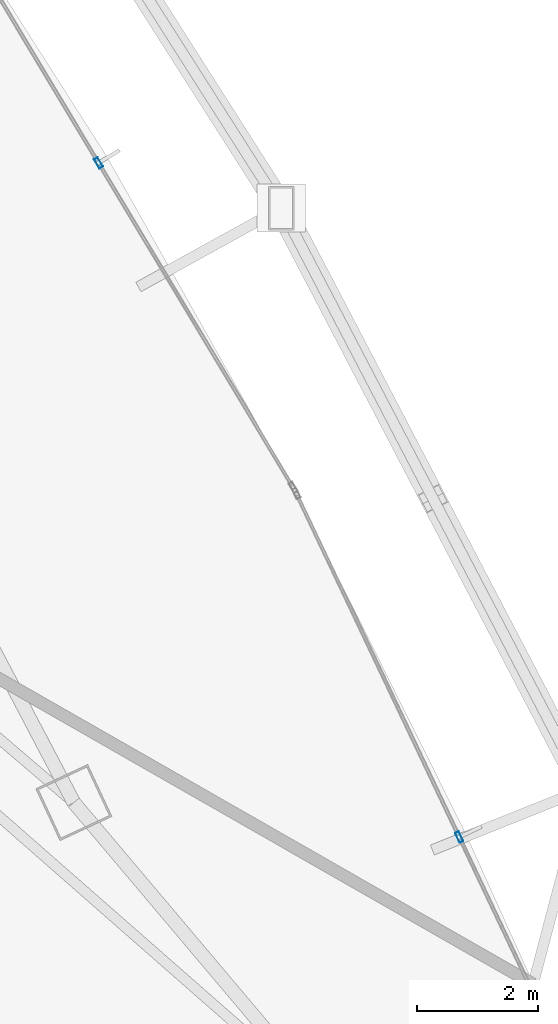
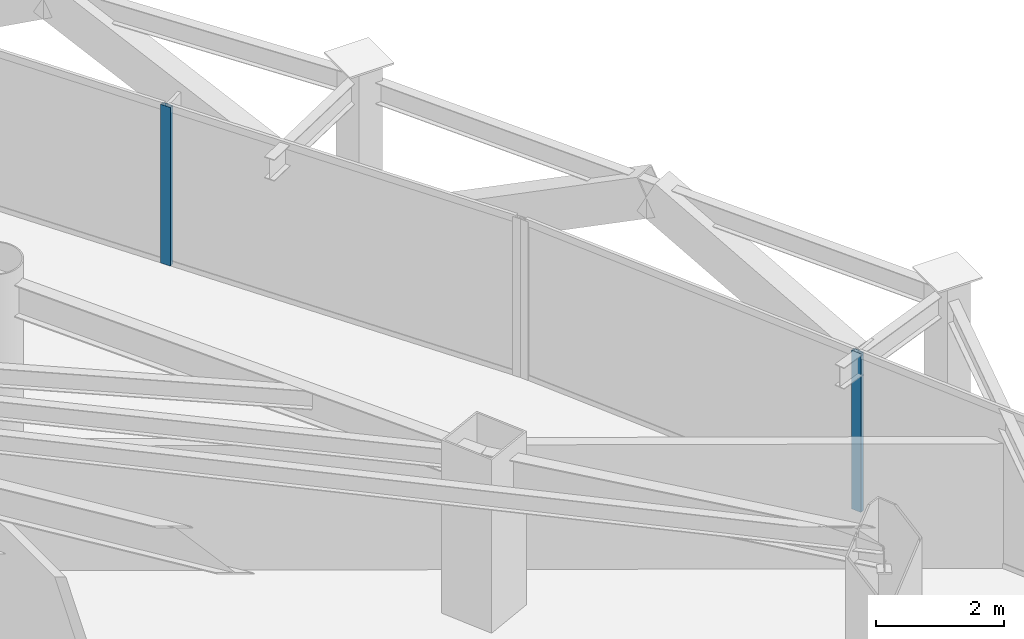
# One storey, part 20 of 38: 2 members, 2 elements without a shape of their own.
"""IFC4 building model written with IfcOpenShell, lengths in metres."""

from ifc_helpers import new_model, si_unit, direction, frame, origin, origin_2d, place, context, subcontext, project, spatial, hollow_rectangle, extrude, material, layer, layer_set, material_profile, profile_set, type_object, element, aggregate, save


model = new_model("IFC4")

# Units and contexts
model_context = context("Model", 3, precision=1e-05, world=origin(), true_north=direction((0.0, 1.0)))
body_context = subcontext(model_context, "Body", "Model", "MODEL_VIEW")
ifc_project = project(units=[si_unit("LENGTHUNIT", "METRE"), si_unit("AREAUNIT", "SQUARE_METRE"), si_unit("VOLUMEUNIT", "CUBIC_METRE"), si_unit("PLANEANGLEUNIT", "RADIAN"), si_unit("MASSUNIT", "GRAM", prefix="KILO")], contexts=[model_context])

# Site, building, storey
site_placement = place(None, origin())
site = spatial("IfcSite", under=ifc_project, at=site_placement, CompositionType="ELEMENT")
building_placement = place(site_placement, origin())
building = spatial("IfcBuilding", under=site, at=building_placement, Name="Orvanel Arch Residences", CompositionType="ELEMENT")
storey_placement = place(building_placement, frame((0.0, 0.0, 56.60009765625)))
storey = spatial("IfcBuildingStorey", under=building, at=storey_placement, Name="L15", CompositionType="ELEMENT", Elevation=56.60009765625)

# Curtain wall, member
ifc_material = material(Name="Bronze-anodised aluminium AA6063-T6", Category="aluminium")
ifc_layer = layer(ifc_material, 0.179931640625)
ifc_layer_set = layer_set([ifc_layer], Name="Bronze-anodised aluminium AA6063-T6")
curtain_wall_type = type_object("IfcCurtainWallType", Name="CW2-LOW-SYS", PredefinedType="NOTDEFINED", material=ifc_layer_set)
curtain_wall_1_placement = place(storey_placement, origin())
curtain_wall_1 = element("IfcCurtainWall", 1, at=curtain_wall_1_placement, inside=storey, type_object=curtain_wall_type, Name="L15 CW2-LOW-SYS Unitised Curtain Wall", PredefinedType="NOTDEFINED")
ifc_material_profile = material_profile(ifc_material, hollow_rectangle(XDim=0.070068359375, YDim=0.179931640625, WallThickness=0.00439453125, at=origin_2d()), Name="ALU180x70x4.5")
ifc_profile_set = profile_set([ifc_material_profile], Name="Bronze-anodised aluminium AA6063-T6")
member_type = type_object("IfcMemberType", Name="MUL-180x70", PredefinedType="MULLION", material=ifc_profile_set)
member_1_placement = place(storey_placement, frame((56.02392578125, 19.070556640625, 0.0), z_axis=(0.0, 0.0, 1.0), x_axis=(-0.903672014466, -0.428225279813, 0.0)))
member_1 = element("IfcMember", 2, at=member_1_placement, type_object=member_type, Name="CW-S2 mullion 2", PredefinedType="MULLION", context=body_context, shape_type="SweptSolid", body=[
    extrude(hollow_rectangle(XDim=0.070068359375, YDim=0.179931640625, WallThickness=0.00439453125, at=origin_2d()), origin(), (0.0, 0.0, 1.0), 3.02001953125),
])
aggregate(curtain_wall_1, [member_1])

curtain_wall_2_placement = place(storey_placement, origin())
curtain_wall_2 = element("IfcCurtainWall", 3, at=curtain_wall_2_placement, inside=storey, type_object=curtain_wall_type, Name="L15 CW2-LOW-SYS Unitised Curtain Wall", PredefinedType="NOTDEFINED")
member_2_placement = place(storey_placement, frame((50.0419921875, 30.25048828125, 0.0), z_axis=(0.0, 0.0, 1.0), x_axis=(-0.857569793125, -0.514367621375, 0.0)))
member_2 = element("IfcMember", 4, at=member_2_placement, type_object=member_type, Name="CW-S2 mullion 2", PredefinedType="MULLION", context=body_context, shape_type="SweptSolid", body=[
    extrude(hollow_rectangle(XDim=0.070068359375, YDim=0.179931640625, WallThickness=0.00439453125, at=origin_2d()), origin(), (0.0, 0.0, 1.0), 3.02001953125),
])
aggregate(curtain_wall_2, [member_2])

save(model, "model.ifc")
